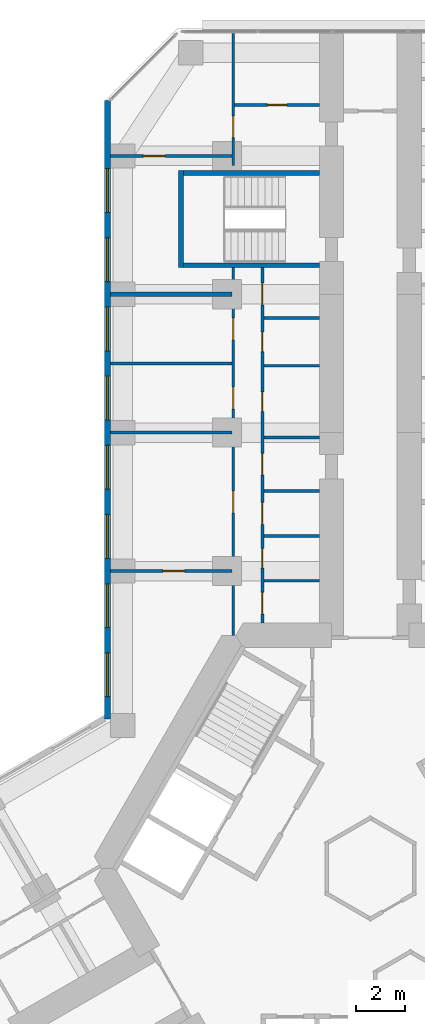
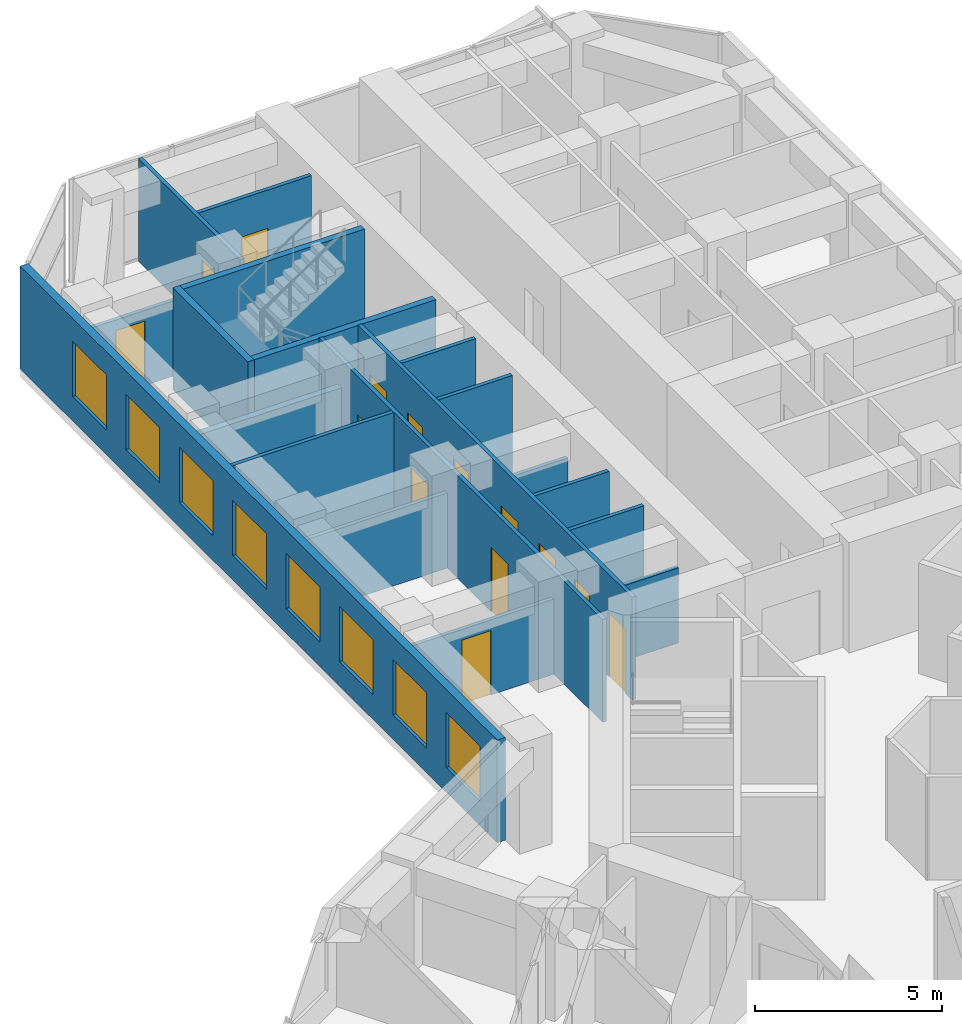
# One storey, part 17 of 21: 19 walls, 14 doors, 8 windows, 22 openings.
"""IFC4 building model written with IfcOpenShell, lengths in metres."""

from ifc_helpers import new_model, si_unit, direction, frame, frame_2d, origin, place, context, subcontext, project, spatial, rectangle, extrude, material, layer, layer_set, type_object, element, fill, save


model = new_model("IFC4")

# Units and contexts
model_context = context("Model", 3, precision=1e-05, world=origin(), true_north=direction((0.0, 1.0)))
body_context = subcontext(model_context, "Body", "Model", "MODEL_VIEW")
ifc_project = project(units=[si_unit("LENGTHUNIT", "METRE"), si_unit("AREAUNIT", "SQUARE_METRE"), si_unit("VOLUMEUNIT", "CUBIC_METRE"), si_unit("PLANEANGLEUNIT", "RADIAN"), si_unit("MASSUNIT", "GRAM", prefix="KILO")], contexts=[model_context])

# Site, building, storey
site_placement = place(None, origin())
site = spatial("IfcSite", under=ifc_project, at=site_placement, CompositionType="ELEMENT")
building_placement = place(site_placement, origin())
building = spatial("IfcBuilding", under=site, at=building_placement, Name="Kosmar Iwan School Tower", CompositionType="ELEMENT")
storey_placement = place(building_placement, frame((0.0, 0.0, 64.60009765625)))
storey = spatial("IfcBuildingStorey", under=building, at=storey_placement, Name="L15", CompositionType="ELEMENT", Elevation=64.60009765625)

# Wall, openings, doors
ifc_material_1 = material(Name="Gypsum board on steel studs", Category="steel")
ifc_layer_1 = layer(ifc_material_1, 0.1201171875)
ifc_layer_set_1 = layer_set([ifc_layer_1], Name="Dwelling partition 120")
wall_type_1 = type_object("IfcWallType", Name="Dwelling partition 120", PredefinedType="PARTITIONING", material=ifc_layer_set_1)
wall_1_placement = place(storey_placement, frame((-4.449951171875, 10.10009765625, 0.0), z_axis=(0.0, 0.0, 1.0), x_axis=(0.0, 1.0, 0.0)))
wall_1 = element("IfcWall", 1, at=wall_1_placement, inside=storey, type_object=wall_type_1, Name="Partition L15-AL1-W1", PredefinedType="PARTITIONING", context=body_context, shape_type="SweptSolid", body=[
    extrude(rectangle(XDim=14.64990234375, YDim=0.1201171875, at=frame_2d((7.324951171875, 0.0))), origin(), (0.0, 0.0, 1.0), 3.349853515625),
])
opening_1_placement = place(wall_1_placement, frame((0.375, 0.0, 0.0)))
opening_1 = element("IfcOpeningElement", 2, at=opening_1_placement, cuts=wall_1, Name="Opening D2", PredefinedType="OPENING", context=body_context, shape_type="SweptSolid", body=[
    extrude(rectangle(XDim=0.89990234375, YDim=2.10009765625, at=frame_2d((0.449951171875, 1.050048828125))), frame((0.0, 0.072021484375, 0.0), z_axis=(0.0, -1.0, 0.0), x_axis=(1.0, 0.0, 0.0)), (0.0, 0.0, 1.0), 0.14404296875),
])
opening_2_placement = place(wall_1_placement, frame((2.27490234375, 0.0, 0.0)))
opening_2 = element("IfcOpeningElement", 3, at=opening_2_placement, cuts=wall_1, Name="Opening D3", PredefinedType="OPENING", context=body_context, shape_type="SweptSolid", body=[
    extrude(rectangle(XDim=0.800048828125, YDim=2.10009765625, at=frame_2d((0.39990234375, 1.050048828125))), frame((0.0, 0.072021484375, 0.0), z_axis=(0.0, -1.0, 0.0), x_axis=(1.0, 0.0, 0.0)), (0.0, 0.0, 1.0), 0.14404296875),
])
opening_3_placement = place(wall_1_placement, frame((4.074951171875, 0.0, 0.0)))
opening_3 = element("IfcOpeningElement", 4, at=opening_3_placement, cuts=wall_1, Name="Opening D2", PredefinedType="OPENING", context=body_context, shape_type="SweptSolid", body=[
    extrude(rectangle(XDim=0.89990234375, YDim=2.10009765625, at=frame_2d((0.449951171875, 1.050048828125))), frame((0.0, 0.072021484375, 0.0), z_axis=(0.0, -1.0, 0.0), x_axis=(1.0, 0.0, 0.0)), (0.0, 0.0, 1.0), 0.14404296875),
])
opening_4_placement = place(wall_1_placement, frame((6.10009765625, 0.0, 0.0)))
opening_4 = element("IfcOpeningElement", 5, at=opening_4_placement, cuts=wall_1, Name="Opening D2", PredefinedType="OPENING", context=body_context, shape_type="SweptSolid", body=[
    extrude(rectangle(XDim=0.89990234375, YDim=2.10009765625, at=frame_2d((0.449951171875, 1.050048828125))), frame((0.0, 0.072021484375, 0.0), z_axis=(0.0, -1.0, 0.0), x_axis=(1.0, 0.0, 0.0)), (0.0, 0.0, 1.0), 0.14404296875),
])
opening_5_placement = place(wall_1_placement, frame((8.728515625, 0.0, 0.0)))
opening_5 = element("IfcOpeningElement", 6, at=opening_5_placement, cuts=wall_1, Name="Opening D3", PredefinedType="OPENING", context=body_context, shape_type="SweptSolid", body=[
    extrude(rectangle(XDim=0.800048828125, YDim=2.10009765625, at=frame_2d((0.39990234375, 1.050048828125))), frame((0.0, 0.072021484375, 0.0), z_axis=(0.0, -1.0, 0.0), x_axis=(1.0, 0.0, 0.0)), (0.0, 0.0, 1.0), 0.14404296875),
])
opening_6_placement = place(wall_1_placement, frame((11.19287109375, 0.0, 0.0)))
opening_6 = element("IfcOpeningElement", 7, at=opening_6_placement, cuts=wall_1, Name="Opening D3", PredefinedType="OPENING", context=body_context, shape_type="SweptSolid", body=[
    extrude(rectangle(XDim=0.800048828125, YDim=2.10009765625, at=frame_2d((0.39990234375, 1.050048828125))), frame((0.0, 0.072021484375, 0.0), z_axis=(0.0, -1.0, 0.0), x_axis=(1.0, 0.0, 0.0)), (0.0, 0.0, 1.0), 0.14404296875),
])
opening_7_placement = place(wall_1_placement, frame((13.1142578125, 0.0, 0.0)))
opening_7 = element("IfcOpeningElement", 8, at=opening_7_placement, cuts=wall_1, Name="Opening D2", PredefinedType="OPENING", context=body_context, shape_type="SweptSolid", body=[
    extrude(rectangle(XDim=0.89990234375, YDim=2.10009765625, at=frame_2d((0.449951171875, 1.050048828125))), frame((0.0, 0.072021484375, 0.0), z_axis=(0.0, -1.0, 0.0), x_axis=(1.0, 0.0, 0.0)), (0.0, 0.0, 1.0), 0.14404296875),
])
ifc_material_2 = material(Name="Timber door in timber frame", Category="wood")
door_type_1 = type_object("IfcDoorType", Name="Internal door 900x2100", OperationType="SINGLE_SWING_LEFT", PredefinedType="DOOR", material=ifc_material_2)
door_1_placement = place(opening_1_placement, origin())
door_1 = element("IfcDoor", 9, at=door_1_placement, inside=storey, type_object=door_type_1, Name="Dressing room door L15-AL1-S1", OperationType="SINGLE_SWING_LEFT", OverallHeight=2.10009765625, OverallWidth=0.89990234375, PredefinedType="DOOR", context=body_context, shape_type="SweptSolid", body=[
    extrude(rectangle(XDim=0.89990234375, YDim=2.10009765625, at=frame_2d((0.449951171875, 1.050048828125))), frame((0.0, 0.02490234375, 0.0), z_axis=(0.0, -1.0, 0.0), x_axis=(1.0, 0.0, 0.0)), (0.0, 0.0, 1.0), 0.050048828125),
])
fill(opening_1, door_1)
door_2_placement = place(opening_3_placement, origin())
door_2 = element("IfcDoor", 10, at=door_2_placement, inside=storey, type_object=door_type_1, Name="Pantry door L15-AL1-S3", OperationType="SINGLE_SWING_LEFT", OverallHeight=2.10009765625, OverallWidth=0.89990234375, PredefinedType="DOOR", context=body_context, shape_type="SweptSolid", body=[
    extrude(rectangle(XDim=0.89990234375, YDim=2.10009765625, at=frame_2d((0.449951171875, 1.050048828125))), frame((0.0, 0.02490234375, 0.0), z_axis=(0.0, -1.0, 0.0), x_axis=(1.0, 0.0, 0.0)), (0.0, 0.0, 1.0), 0.050048828125),
])
fill(opening_3, door_2)
door_3_placement = place(opening_4_placement, origin())
door_3 = element("IfcDoor", 11, at=door_3_placement, inside=storey, type_object=door_type_1, Name="Entrance hall door L15-AL1-S4", OperationType="SINGLE_SWING_LEFT", OverallHeight=2.10009765625, OverallWidth=0.89990234375, PredefinedType="DOOR", context=body_context, shape_type="SweptSolid", body=[
    extrude(rectangle(XDim=0.89990234375, YDim=2.10009765625, at=frame_2d((0.449951171875, 1.050048828125))), frame((0.0, 0.02490234375, 0.0), z_axis=(0.0, -1.0, 0.0), x_axis=(1.0, 0.0, 0.0)), (0.0, 0.0, 1.0), 0.050048828125),
])
fill(opening_4, door_3)
door_4_placement = place(opening_7_placement, frame((0.89990234375, 0.0, 0.0), z_axis=(0.0, 0.0, 1.0), x_axis=(-1.0, 0.0, 0.0)))
door_4 = element("IfcDoor", 12, at=door_4_placement, inside=storey, type_object=door_type_1, Name="Utility room door L15-AL1-S7", OperationType="SINGLE_SWING_LEFT", OverallHeight=2.10009765625, OverallWidth=0.89990234375, PredefinedType="DOOR", context=body_context, shape_type="SweptSolid", body=[
    extrude(rectangle(XDim=0.89990234375, YDim=2.10009765625, at=frame_2d((0.449951171875, 1.050048828125))), frame((0.0, 0.02490234375, 0.0), z_axis=(0.0, -1.0, 0.0), x_axis=(1.0, 0.0, 0.0)), (0.0, 0.0, 1.0), 0.050048828125),
])
fill(opening_7, door_4)
ifc_material_3 = material(Name="Timber door in timber frame", Category="wood")
door_type_2 = type_object("IfcDoorType", Name="Sanitary room door 800x2100", OperationType="SINGLE_SWING_LEFT", PredefinedType="DOOR", material=ifc_material_3)
door_5_placement = place(opening_2_placement, origin())
door_5 = element("IfcDoor", 13, at=door_5_placement, inside=storey, type_object=door_type_2, Name="Store door L15-AL1-S2", OperationType="SINGLE_SWING_LEFT", OverallHeight=2.10009765625, OverallWidth=0.800048828125, PredefinedType="DOOR", context=body_context, shape_type="SweptSolid", body=[
    extrude(rectangle(XDim=0.800048828125, YDim=2.10009765625, at=frame_2d((0.39990234375, 1.050048828125))), frame((0.0, 0.02490234375, 0.0), z_axis=(0.0, -1.0, 0.0), x_axis=(1.0, 0.0, 0.0)), (0.0, 0.0, 1.0), 0.050048828125),
])
fill(opening_2, door_5)
door_6_placement = place(opening_5_placement, origin())
door_6 = element("IfcDoor", 14, at=door_6_placement, inside=storey, type_object=door_type_2, Name="Bathroom door L15-AL1-S5", OperationType="SINGLE_SWING_RIGHT", OverallHeight=2.10009765625, OverallWidth=0.800048828125, PredefinedType="DOOR", context=body_context, shape_type="SweptSolid", body=[
    extrude(rectangle(XDim=0.800048828125, YDim=2.10009765625, at=frame_2d((0.39990234375, 1.050048828125))), frame((0.0, 0.02490234375, 0.0), z_axis=(0.0, -1.0, 0.0), x_axis=(1.0, 0.0, 0.0)), (0.0, 0.0, 1.0), 0.050048828125),
])
fill(opening_5, door_6)
door_7_placement = place(opening_6_placement, origin())
door_7 = element("IfcDoor", 15, at=door_7_placement, inside=storey, type_object=door_type_2, Name="WC door L15-AL1-S6", OperationType="SINGLE_SWING_RIGHT", OverallHeight=2.10009765625, OverallWidth=0.800048828125, PredefinedType="DOOR", context=body_context, shape_type="SweptSolid", body=[
    extrude(rectangle(XDim=0.800048828125, YDim=2.10009765625, at=frame_2d((0.39990234375, 1.050048828125))), frame((0.0, 0.02490234375, 0.0), z_axis=(0.0, -1.0, 0.0), x_axis=(1.0, 0.0, 0.0)), (0.0, 0.0, 1.0), 0.050048828125),
])
fill(opening_6, door_7)

wall_2_placement = place(storey_placement, frame((-5.64990234375, 9.60009765625, 0.0), z_axis=(0.0, 0.0, 1.0), x_axis=(0.0, 1.0, 0.0)))
wall_2 = element("IfcWall", 16, at=wall_2_placement, inside=storey, type_object=wall_type_1, Name="Partition L15-AL1-W2", PredefinedType="PARTITIONING", context=body_context, shape_type="SweptSolid", body=[
    extrude(rectangle(XDim=15.14990234375, YDim=0.1201171875, at=frame_2d((7.574951171875, 0.0))), origin(), (0.0, 0.0, 1.0), 3.349853515625),
])
opening_8_placement = place(wall_2_placement, frame((5.050048828125, 0.0, 0.0)))
opening_8 = element("IfcOpeningElement", 17, at=opening_8_placement, cuts=wall_2, Name="Opening D2", PredefinedType="OPENING", context=body_context, shape_type="SweptSolid", body=[
    extrude(rectangle(XDim=0.89990234375, YDim=2.10009765625, at=frame_2d((0.449951171875, 1.050048828125))), frame((0.0, 0.072021484375, 0.0), z_axis=(0.0, -1.0, 0.0), x_axis=(1.0, 0.0, 0.0)), (0.0, 0.0, 1.0), 0.14404296875),
])
opening_9_placement = place(wall_2_placement, frame((9.324951171875, 0.0, 0.0)))
opening_9 = element("IfcOpeningElement", 18, at=opening_9_placement, cuts=wall_2, Name="Opening D2", PredefinedType="OPENING", context=body_context, shape_type="SweptSolid", body=[
    extrude(rectangle(XDim=0.89990234375, YDim=2.10009765625, at=frame_2d((0.449951171875, 1.050048828125))), frame((0.0, 0.072021484375, 0.0), z_axis=(0.0, -1.0, 0.0), x_axis=(1.0, 0.0, 0.0)), (0.0, 0.0, 1.0), 0.14404296875),
])
opening_10_placement = place(wall_2_placement, frame((12.175048828125, 0.0, 0.0)))
opening_10 = element("IfcOpeningElement", 19, at=opening_10_placement, cuts=wall_2, Name="Opening D2", PredefinedType="OPENING", context=body_context, shape_type="SweptSolid", body=[
    extrude(rectangle(XDim=0.89990234375, YDim=2.10009765625, at=frame_2d((0.449951171875, 1.050048828125))), frame((0.0, 0.072021484375, 0.0), z_axis=(0.0, -1.0, 0.0), x_axis=(1.0, 0.0, 0.0)), (0.0, 0.0, 1.0), 0.14404296875),
])
door_8_placement = place(opening_8_placement, origin())
door_8 = element("IfcDoor", 20, at=door_8_placement, inside=storey, type_object=door_type_1, Name="Living room door L15-AL1-F2", OperationType="SINGLE_SWING_RIGHT", OverallHeight=2.10009765625, OverallWidth=0.89990234375, PredefinedType="DOOR", context=body_context, shape_type="SweptSolid", body=[
    extrude(rectangle(XDim=0.89990234375, YDim=2.10009765625, at=frame_2d((0.449951171875, 1.050048828125))), frame((0.0, 0.02490234375, 0.0), z_axis=(0.0, -1.0, 0.0), x_axis=(1.0, 0.0, 0.0)), (0.0, 0.0, 1.0), 0.050048828125),
])
fill(opening_8, door_8)
door_9_placement = place(opening_9_placement, origin())
door_9 = element("IfcDoor", 21, at=door_9_placement, inside=storey, type_object=door_type_1, Name="Study door L15-AL1-F3", OperationType="SINGLE_SWING_LEFT", OverallHeight=2.10009765625, OverallWidth=0.89990234375, PredefinedType="DOOR", context=body_context, shape_type="SweptSolid", body=[
    extrude(rectangle(XDim=0.89990234375, YDim=2.10009765625, at=frame_2d((0.449951171875, 1.050048828125))), frame((0.0, 0.02490234375, 0.0), z_axis=(0.0, -1.0, 0.0), x_axis=(1.0, 0.0, 0.0)), (0.0, 0.0, 1.0), 0.050048828125),
])
fill(opening_9, door_9)
door_10_placement = place(opening_10_placement, origin())
door_10 = element("IfcDoor", 22, at=door_10_placement, inside=storey, type_object=door_type_1, Name="Bedroom 1 door L15-AL1-F4", OperationType="SINGLE_SWING_RIGHT", OverallHeight=2.10009765625, OverallWidth=0.89990234375, PredefinedType="DOOR", context=body_context, shape_type="SweptSolid", body=[
    extrude(rectangle(XDim=0.89990234375, YDim=2.10009765625, at=frame_2d((0.449951171875, 1.050048828125))), frame((0.0, 0.02490234375, 0.0), z_axis=(0.0, -1.0, 0.0), x_axis=(1.0, 0.0, 0.0)), (0.0, 0.0, 1.0), 0.050048828125),
])
fill(opening_10, door_10)

# Wall, opening, door
wall_3_placement = place(storey_placement, frame((-5.7099609375, 12.25, 0.0), z_axis=(0.0, 0.0, 1.0), x_axis=(-1.0, 0.0, 0.0)))
wall_3 = element("IfcWall", 23, at=wall_3_placement, inside=storey, type_object=wall_type_1, Name="Partition L15-AL1-X1", PredefinedType="PARTITIONING", context=body_context, shape_type="SweptSolid", body=[
    extrude(rectangle(XDim=4.989990234375, YDim=0.1201171875, at=frame_2d((2.4951171875, 0.0))), origin(), (0.0, 0.0, 1.0), 2.449951171875),
])
opening_11_placement = place(wall_3_placement, frame((1.93994140625, 0.0, 0.0)))
opening_11 = element("IfcOpeningElement", 24, at=opening_11_placement, cuts=wall_3, Name="Opening D2", PredefinedType="OPENING", context=body_context, shape_type="SweptSolid", body=[
    extrude(rectangle(XDim=0.89990234375, YDim=2.10009765625, at=frame_2d((0.449951171875, 1.050048828125))), frame((0.0, 0.072021484375, 0.0), z_axis=(0.0, -1.0, 0.0), x_axis=(1.0, 0.0, 0.0)), (0.0, 0.0, 1.0), 0.14404296875),
])
door_11_placement = place(opening_11_placement, origin())
door_11 = element("IfcDoor", 25, at=door_11_placement, inside=storey, type_object=door_type_1, Name="Kitchen and dining room door L15-AL1-F1", OperationType="SINGLE_SWING_LEFT", OverallHeight=2.10009765625, OverallWidth=0.89990234375, PredefinedType="DOOR", context=body_context, shape_type="SweptSolid", body=[
    extrude(rectangle(XDim=0.89990234375, YDim=2.10009765625, at=frame_2d((0.449951171875, 1.050048828125))), frame((0.0, 0.02490234375, 0.0), z_axis=(0.0, -1.0, 0.0), x_axis=(1.0, 0.0, 0.0)), (0.0, 0.0, 1.0), 0.050048828125),
])
fill(opening_11, door_11)

# Walls
wall_4_placement = place(storey_placement, frame((-5.7099609375, 17.949951171875, 0.0), z_axis=(0.0, 0.0, 1.0), x_axis=(-1.0, 0.0, 0.0)))
element("IfcWall", 26, at=wall_4_placement, inside=storey, type_object=wall_type_1, Name="Partition L15-AL1-X2", PredefinedType="PARTITIONING", context=body_context, shape_type="SweptSolid", body=[
    extrude(rectangle(XDim=4.989990234375, YDim=0.1201171875, at=frame_2d((2.4951171875, 0.0))), origin(), (0.0, 0.0, 1.0), 2.449951171875),
])
wall_5_placement = place(storey_placement, frame((-5.7099609375, 20.800048828125, 0.0), z_axis=(0.0, 0.0, 1.0), x_axis=(-1.0, 0.0, 0.0)))
element("IfcWall", 27, at=wall_5_placement, inside=storey, type_object=wall_type_1, Name="Partition L15-AL1-X3", PredefinedType="PARTITIONING", context=body_context, shape_type="SweptSolid", body=[
    extrude(rectangle(XDim=4.989990234375, YDim=0.1201171875, at=frame_2d((2.4951171875, 0.0))), origin(), (0.0, 0.0, 1.0), 3.349853515625),
])
wall_6_placement = place(storey_placement, frame((-2.10009765625, 11.85009765625, 0.0), z_axis=(0.0, 0.0, 1.0), x_axis=(-1.0, 0.0, 0.0)))
element("IfcWall", 28, at=wall_6_placement, inside=storey, type_object=wall_type_1, Name="Partition L15-AL1-Y1", PredefinedType="PARTITIONING", context=body_context, shape_type="SweptSolid", body=[
    extrude(rectangle(XDim=2.289794921875, YDim=0.1201171875, at=frame_2d((1.14501953125, 0.0))), origin(), (0.0, 0.0, 1.0), 2.449951171875),
])
for number, where, z_axis, x_axis, name in (
    (29, (-2.10009765625, 13.699951171875, 0.0), (0.0, 0.0, 1.0), (-1.0, 0.0, 0.0), "Partition L15-AL1-Y2"),
    (30, (-2.10009765625, 15.550048828125, 0.0), (0.0, 0.0, 1.0), (-1.0, 0.0, 0.0), "Partition L15-AL1-Y3"),
):
    element("IfcWall", number, at=place(storey_placement, frame(where, z_axis=z_axis, x_axis=x_axis)), inside=storey, type_object=wall_type_1, Name=name, PredefinedType="PARTITIONING", context=body_context, shape_type="SweptSolid", body=[
        extrude(rectangle(XDim=2.289794921875, YDim=0.1201171875, at=frame_2d((1.14501953125, 0.0))), origin(), (0.0, 0.0, 1.0), 3.349853515625),
    ])
wall_7_placement = place(storey_placement, frame((-2.10009765625, 17.75, 0.0), z_axis=(0.0, 0.0, 1.0), x_axis=(-1.0, 0.0, 0.0)))
element("IfcWall", 31, at=wall_7_placement, inside=storey, type_object=wall_type_1, Name="Partition L15-AL1-Y4", PredefinedType="PARTITIONING", context=body_context, shape_type="SweptSolid", body=[
    extrude(rectangle(XDim=2.289794921875, YDim=0.1201171875, at=frame_2d((1.14501953125, 0.0))), origin(), (0.0, 0.0, 1.0), 2.449951171875),
])
for number, where, z_axis, x_axis, name in (
    (32, (-2.10009765625, 20.70703125, 0.0), (0.0, 0.0, 1.0), (-1.0, 0.0, 0.0), "Partition L15-AL1-Y5"),
    (33, (-2.10009765625, 22.678466796875, 0.0), (0.0, 0.0, 1.0), (-1.0, 0.0, 0.0), "Partition L15-AL1-Y6"),
):
    element("IfcWall", number, at=place(storey_placement, frame(where, z_axis=z_axis, x_axis=x_axis)), inside=storey, type_object=wall_type_1, Name=name, PredefinedType="PARTITIONING", context=body_context, shape_type="SweptSolid", body=[
        extrude(rectangle(XDim=2.289794921875, YDim=0.1201171875, at=frame_2d((1.14501953125, 0.0))), origin(), (0.0, 0.0, 1.0), 3.349853515625),
    ])

# Wall, opening, door
wall_8_placement = place(storey_placement, frame((-5.7099609375, 29.35009765625, 0.0), z_axis=(0.0, 0.0, 1.0), x_axis=(-1.0, 0.0, 0.0)))
wall_8 = element("IfcWall", 34, at=wall_8_placement, inside=storey, type_object=wall_type_1, Name="Partition L15-AL2-TX", PredefinedType="PARTITIONING", context=body_context, shape_type="SweptSolid", body=[
    extrude(rectangle(XDim=4.989990234375, YDim=0.1201171875, at=frame_2d((2.4951171875, 0.0))), origin(), (0.0, 0.0, 1.0), 2.449951171875),
])
opening_12_placement = place(wall_8_placement, frame((2.739990234375, 0.0, 0.0)))
opening_12 = element("IfcOpeningElement", 35, at=opening_12_placement, cuts=wall_8, Name="Opening D2", PredefinedType="OPENING", context=body_context, shape_type="SweptSolid", body=[
    extrude(rectangle(XDim=0.89990234375, YDim=2.10009765625, at=frame_2d((0.449951171875, 1.050048828125))), frame((0.0, 0.072021484375, 0.0), z_axis=(0.0, -1.0, 0.0), x_axis=(1.0, 0.0, 0.0)), (0.0, 0.0, 1.0), 0.14404296875),
])
door_12_placement = place(opening_12_placement, origin())
door_12 = element("IfcDoor", 36, at=door_12_placement, inside=storey, type_object=door_type_1, Name="Bedroom 1 door L15-AL2-T1", OperationType="SINGLE_SWING_RIGHT", OverallHeight=2.10009765625, OverallWidth=0.89990234375, PredefinedType="DOOR", context=body_context, shape_type="SweptSolid", body=[
    extrude(rectangle(XDim=0.89990234375, YDim=2.10009765625, at=frame_2d((0.449951171875, 1.050048828125))), frame((0.0, 0.02490234375, 0.0), z_axis=(0.0, -1.0, 0.0), x_axis=(1.0, 0.0, 0.0)), (0.0, 0.0, 1.0), 0.050048828125),
])
fill(opening_12, door_12)

wall_9_placement = place(storey_placement, frame((-5.64990234375, 28.949951171875, 0.0), z_axis=(0.0, 0.0, 1.0), x_axis=(0.0, 1.0, 0.0)))
wall_9 = element("IfcWall", 37, at=wall_9_placement, inside=storey, type_object=wall_type_1, Name="Partition L15-AL2-TW", PredefinedType="PARTITIONING", context=body_context, shape_type="SweptSolid", body=[
    extrude(rectangle(XDim=5.445068359375, YDim=0.1201171875, at=frame_2d((2.72265625, 0.0))), origin(), (0.0, 0.0, 1.0), 3.349853515625),
])
opening_13_placement = place(wall_9_placement, frame((1.14990234375, 0.0, 0.0)))
opening_13 = element("IfcOpeningElement", 38, at=opening_13_placement, cuts=wall_9, Name="Opening D2", PredefinedType="OPENING", context=body_context, shape_type="SweptSolid", body=[
    extrude(rectangle(XDim=0.89990234375, YDim=2.10009765625, at=frame_2d((0.449951171875, 1.050048828125))), frame((0.0, 0.072021484375, 0.0), z_axis=(0.0, -1.0, 0.0), x_axis=(1.0, 0.0, 0.0)), (0.0, 0.0, 1.0), 0.14404296875),
])
door_13_placement = place(opening_13_placement, origin())
door_13 = element("IfcDoor", 39, at=door_13_placement, inside=storey, type_object=door_type_1, Name="Entrance hall door L15-AL2-T3", OperationType="SINGLE_SWING_LEFT", OverallHeight=2.10009765625, OverallWidth=0.89990234375, PredefinedType="DOOR", context=body_context, shape_type="SweptSolid", body=[
    extrude(rectangle(XDim=0.89990234375, YDim=2.10009765625, at=frame_2d((0.449951171875, 1.050048828125))), frame((0.0, 0.02490234375, 0.0), z_axis=(0.0, -1.0, 0.0), x_axis=(1.0, 0.0, 0.0)), (0.0, 0.0, 1.0), 0.050048828125),
])
fill(opening_13, door_13)

wall_10_placement = place(storey_placement, frame((-2.10009765625, 31.449951171875, 0.0), z_axis=(0.0, 0.0, 1.0), x_axis=(-1.0, 0.0, 0.0)))
wall_10 = element("IfcWall", 40, at=wall_10_placement, inside=storey, type_object=wall_type_1, Name="Partition L15-AL2-TY", PredefinedType="PARTITIONING", context=body_context, shape_type="SweptSolid", body=[
    extrude(rectangle(XDim=3.489990234375, YDim=0.1201171875, at=frame_2d((1.7451171875, 0.0))), origin(), (0.0, 0.0, 1.0), 3.349853515625),
])
opening_14_placement = place(wall_10_placement, frame((1.344970703125, 0.0, 0.0)))
opening_14 = element("IfcOpeningElement", 41, at=opening_14_placement, cuts=wall_10, Name="Opening D3", PredefinedType="OPENING", context=body_context, shape_type="SweptSolid", body=[
    extrude(rectangle(XDim=0.800048828125, YDim=2.10009765625, at=frame_2d((0.39990234375, 1.050048828125))), frame((0.0, 0.072021484375, 0.0), z_axis=(0.0, -1.0, 0.0), x_axis=(1.0, 0.0, 0.0)), (0.0, 0.0, 1.0), 0.14404296875),
])
door_14_placement = place(opening_14_placement, origin())
door_14 = element("IfcDoor", 42, at=door_14_placement, inside=storey, type_object=door_type_2, Name="Bathroom door L15-AL2-T4", OperationType="SINGLE_SWING_RIGHT", OverallHeight=2.10009765625, OverallWidth=0.800048828125, PredefinedType="DOOR", context=body_context, shape_type="SweptSolid", body=[
    extrude(rectangle(XDim=0.800048828125, YDim=2.10009765625, at=frame_2d((0.39990234375, 1.050048828125))), frame((0.0, 0.02490234375, 0.0), z_axis=(0.0, -1.0, 0.0), x_axis=(1.0, 0.0, 0.0)), (0.0, 0.0, 1.0), 0.050048828125),
])
fill(opening_14, door_14)

# Walls
ifc_material_4 = material(Name="Concrete C35/45", Category="concrete")
ifc_layer_2 = layer(ifc_material_4, 0.199951171875)
ifc_layer_set_2 = layer_set([ifc_layer_2], Name="Escape stair wall 200")
wall_type_2 = type_object("IfcWallType", Name="Escape stair wall 200", PredefinedType="SHEAR", material=ifc_layer_set_2)
for number, where, z_axis, x_axis, name in (
    (43, (-2.10009765625, 24.85009765625, 0.0), (0.0, 0.0, 1.0), (-1.0, 0.0, 0.0), "Stair WS1 wall"),
    (44, (-2.10009765625, 28.64990234375, 0.0), (0.0, 0.0, 1.0), (-1.0, 0.0, 0.0), "Stair WS1 wall"),
):
    element("IfcWall", number, at=place(storey_placement, frame(where, z_axis=z_axis, x_axis=x_axis)), inside=storey, type_object=wall_type_2, Name=name, PredefinedType="SHEAR", context=body_context, shape_type="SweptSolid", body=[
        extrude(rectangle(XDim=5.7998046875, YDim=0.199951171875, at=frame_2d((2.89990234375, 0.0))), origin(), (0.0, 0.0, 1.0), 3.329833984375),
    ])
wall_11_placement = place(storey_placement, frame((-7.800048828125, 24.75, 0.0), z_axis=(0.0, 0.0, 1.0), x_axis=(0.0, 1.0, 0.0)))
element("IfcWall", 45, at=wall_11_placement, inside=storey, type_object=wall_type_2, Name="Stair WS1 wall", PredefinedType="SHEAR", context=body_context, shape_type="SweptSolid", body=[
    extrude(rectangle(XDim=4.0, YDim=0.199951171875, at=frame_2d((2.0, 0.0))), origin(), (0.0, 0.0, 1.0), 3.329833984375),
])

# Wall, openings, windows
ifc_material_5 = material(Name="Black aluminium rainscreen on insulated framing", Category="aluminium")
ifc_layer_3 = layer(ifc_material_5, 0.25)
ifc_layer_set_3 = layer_set([ifc_layer_3], Name="External wall rainscreen 250")
wall_type_3 = type_object("IfcWallType", Name="External wall rainscreen 250", PredefinedType="SOLIDWALL", material=ifc_layer_set_3)
wall_12_placement = place(storey_placement, frame((-10.824951171875, 6.14794921875, 0.0), z_axis=(0.0, 0.0, 1.0), x_axis=(0.0, 1.0, 0.0)))
wall_12 = element("IfcWall", 46, at=wall_12_placement, inside=storey, type_object=wall_type_3, Name="External wall AL L15", PredefinedType="SOLIDWALL", context=body_context, shape_type="SweptSolid", body=[
    extrude(rectangle(XDim=25.4873046875, YDim=0.25, at=frame_2d((12.74365234375, 0.0))), origin(), (0.0, 0.0, 1.0), 3.349853515625),
])
opening_15_placement = place(wall_12_placement, frame((0.927001953125, 0.0, 0.800048828125)))
opening_15 = element("IfcOpeningElement", 47, at=opening_15_placement, cuts=wall_12, Name="Opening W1", PredefinedType="OPENING", context=body_context, shape_type="SweptSolid", body=[
    extrude(rectangle(XDim=1.800048828125, YDim=1.800048828125, at=frame_2d((0.89990234375, 0.89990234375))), frame((0.0, 0.136962890625, 0.0), z_axis=(0.0, -1.0, 0.0), x_axis=(1.0, 0.0, 0.0)), (0.0, 0.0, 1.0), 0.27392578125),
])
opening_16_placement = place(wall_12_placement, frame((3.777099609375, 0.0, 0.800048828125)))
opening_16 = element("IfcOpeningElement", 48, at=opening_16_placement, cuts=wall_12, Name="Opening W1", PredefinedType="OPENING", context=body_context, shape_type="SweptSolid", body=[
    extrude(rectangle(XDim=1.800048828125, YDim=1.800048828125, at=frame_2d((0.89990234375, 0.89990234375))), frame((0.0, 0.136962890625, 0.0), z_axis=(0.0, -1.0, 0.0), x_axis=(1.0, 0.0, 0.0)), (0.0, 0.0, 1.0), 0.27392578125),
])
opening_17_placement = place(wall_12_placement, frame((6.626953125, 0.0, 0.800048828125)))
opening_17 = element("IfcOpeningElement", 49, at=opening_17_placement, cuts=wall_12, Name="Opening W1", PredefinedType="OPENING", context=body_context, shape_type="SweptSolid", body=[
    extrude(rectangle(XDim=1.800048828125, YDim=1.800048828125, at=frame_2d((0.89990234375, 0.89990234375))), frame((0.0, 0.136962890625, 0.0), z_axis=(0.0, -1.0, 0.0), x_axis=(1.0, 0.0, 0.0)), (0.0, 0.0, 1.0), 0.27392578125),
])
opening_18_placement = place(wall_12_placement, frame((9.47705078125, 0.0, 0.800048828125)))
opening_18 = element("IfcOpeningElement", 50, at=opening_18_placement, cuts=wall_12, Name="Opening W1", PredefinedType="OPENING", context=body_context, shape_type="SweptSolid", body=[
    extrude(rectangle(XDim=1.800048828125, YDim=1.800048828125, at=frame_2d((0.89990234375, 0.89990234375))), frame((0.0, 0.136962890625, 0.0), z_axis=(0.0, -1.0, 0.0), x_axis=(1.0, 0.0, 0.0)), (0.0, 0.0, 1.0), 0.27392578125),
])
opening_19_placement = place(wall_12_placement, frame((12.326904296875, 0.0, 0.800048828125)))
opening_19 = element("IfcOpeningElement", 51, at=opening_19_placement, cuts=wall_12, Name="Opening W1", PredefinedType="OPENING", context=body_context, shape_type="SweptSolid", body=[
    extrude(rectangle(XDim=1.800048828125, YDim=1.800048828125, at=frame_2d((0.89990234375, 0.89990234375))), frame((0.0, 0.136962890625, 0.0), z_axis=(0.0, -1.0, 0.0), x_axis=(1.0, 0.0, 0.0)), (0.0, 0.0, 1.0), 0.27392578125),
])
opening_20_placement = place(wall_12_placement, frame((15.177001953125, 0.0, 0.800048828125)))
opening_20 = element("IfcOpeningElement", 52, at=opening_20_placement, cuts=wall_12, Name="Opening W1", PredefinedType="OPENING", context=body_context, shape_type="SweptSolid", body=[
    extrude(rectangle(XDim=1.800048828125, YDim=1.800048828125, at=frame_2d((0.89990234375, 0.89990234375))), frame((0.0, 0.136962890625, 0.0), z_axis=(0.0, -1.0, 0.0), x_axis=(1.0, 0.0, 0.0)), (0.0, 0.0, 1.0), 0.27392578125),
])
opening_21_placement = place(wall_12_placement, frame((18.027099609375, 0.0, 0.800048828125)))
opening_21 = element("IfcOpeningElement", 53, at=opening_21_placement, cuts=wall_12, Name="Opening W1", PredefinedType="OPENING", context=body_context, shape_type="SweptSolid", body=[
    extrude(rectangle(XDim=1.800048828125, YDim=1.800048828125, at=frame_2d((0.89990234375, 0.89990234375))), frame((0.0, 0.136962890625, 0.0), z_axis=(0.0, -1.0, 0.0), x_axis=(1.0, 0.0, 0.0)), (0.0, 0.0, 1.0), 0.27392578125),
])
opening_22_placement = place(wall_12_placement, frame((20.876953125, 0.0, 0.800048828125)))
opening_22 = element("IfcOpeningElement", 54, at=opening_22_placement, cuts=wall_12, Name="Opening W1", PredefinedType="OPENING", context=body_context, shape_type="SweptSolid", body=[
    extrude(rectangle(XDim=1.800048828125, YDim=1.800048828125, at=frame_2d((0.89990234375, 0.89990234375))), frame((0.0, 0.136962890625, 0.0), z_axis=(0.0, -1.0, 0.0), x_axis=(1.0, 0.0, 0.0)), (0.0, 0.0, 1.0), 0.27392578125),
])
ifc_material_6 = material(Name="Black aluminium frame with dark triple glazing", Category="aluminium")
window_type = type_object("IfcWindowType", Name="Window 1800x1800", PartitioningType="SINGLE_PANEL", PredefinedType="WINDOW", material=ifc_material_6)
window_1_placement = place(opening_15_placement, origin())
window_1 = element("IfcWindow", 55, at=window_1_placement, inside=storey, type_object=window_type, Name="Window AL L15 -1", OverallHeight=1.800048828125, OverallWidth=1.800048828125, PartitioningType="SINGLE_PANEL", PredefinedType="WINDOW", context=body_context, shape_type="SweptSolid", body=[
    extrude(rectangle(XDim=1.800048828125, YDim=1.800048828125, at=frame_2d((0.89990234375, 0.89990234375))), frame((0.0, 0.030029296875, 0.0), z_axis=(0.0, -1.0, 0.0), x_axis=(1.0, 0.0, 0.0)), (0.0, 0.0, 1.0), 0.06005859375),
])
fill(opening_15, window_1)
window_2_placement = place(opening_16_placement, origin())
window_2 = element("IfcWindow", 56, at=window_2_placement, inside=storey, type_object=window_type, Name="Window AL L15 0", OverallHeight=1.800048828125, OverallWidth=1.800048828125, PartitioningType="SINGLE_PANEL", PredefinedType="WINDOW", context=body_context, shape_type="SweptSolid", body=[
    extrude(rectangle(XDim=1.800048828125, YDim=1.800048828125, at=frame_2d((0.89990234375, 0.89990234375))), frame((0.0, 0.030029296875, 0.0), z_axis=(0.0, -1.0, 0.0), x_axis=(1.0, 0.0, 0.0)), (0.0, 0.0, 1.0), 0.06005859375),
])
fill(opening_16, window_2)
window_3_placement = place(opening_17_placement, origin())
window_3 = element("IfcWindow", 57, at=window_3_placement, inside=storey, type_object=window_type, Name="Window AL L15 1", OverallHeight=1.800048828125, OverallWidth=1.800048828125, PartitioningType="SINGLE_PANEL", PredefinedType="WINDOW", context=body_context, shape_type="SweptSolid", body=[
    extrude(rectangle(XDim=1.800048828125, YDim=1.800048828125, at=frame_2d((0.89990234375, 0.89990234375))), frame((0.0, 0.030029296875, 0.0), z_axis=(0.0, -1.0, 0.0), x_axis=(1.0, 0.0, 0.0)), (0.0, 0.0, 1.0), 0.06005859375),
])
fill(opening_17, window_3)
window_4_placement = place(opening_18_placement, origin())
window_4 = element("IfcWindow", 58, at=window_4_placement, inside=storey, type_object=window_type, Name="Window AL L15 2", OverallHeight=1.800048828125, OverallWidth=1.800048828125, PartitioningType="SINGLE_PANEL", PredefinedType="WINDOW", context=body_context, shape_type="SweptSolid", body=[
    extrude(rectangle(XDim=1.800048828125, YDim=1.800048828125, at=frame_2d((0.89990234375, 0.89990234375))), frame((0.0, 0.030029296875, 0.0), z_axis=(0.0, -1.0, 0.0), x_axis=(1.0, 0.0, 0.0)), (0.0, 0.0, 1.0), 0.06005859375),
])
fill(opening_18, window_4)
window_5_placement = place(opening_19_placement, origin())
window_5 = element("IfcWindow", 59, at=window_5_placement, inside=storey, type_object=window_type, Name="Window AL L15 3", OverallHeight=1.800048828125, OverallWidth=1.800048828125, PartitioningType="SINGLE_PANEL", PredefinedType="WINDOW", context=body_context, shape_type="SweptSolid", body=[
    extrude(rectangle(XDim=1.800048828125, YDim=1.800048828125, at=frame_2d((0.89990234375, 0.89990234375))), frame((0.0, 0.030029296875, 0.0), z_axis=(0.0, -1.0, 0.0), x_axis=(1.0, 0.0, 0.0)), (0.0, 0.0, 1.0), 0.06005859375),
])
fill(opening_19, window_5)
window_6_placement = place(opening_20_placement, origin())
window_6 = element("IfcWindow", 60, at=window_6_placement, inside=storey, type_object=window_type, Name="Window AL L15 4", OverallHeight=1.800048828125, OverallWidth=1.800048828125, PartitioningType="SINGLE_PANEL", PredefinedType="WINDOW", context=body_context, shape_type="SweptSolid", body=[
    extrude(rectangle(XDim=1.800048828125, YDim=1.800048828125, at=frame_2d((0.89990234375, 0.89990234375))), frame((0.0, 0.030029296875, 0.0), z_axis=(0.0, -1.0, 0.0), x_axis=(1.0, 0.0, 0.0)), (0.0, 0.0, 1.0), 0.06005859375),
])
fill(opening_20, window_6)
window_7_placement = place(opening_21_placement, origin())
window_7 = element("IfcWindow", 61, at=window_7_placement, inside=storey, type_object=window_type, Name="Window AL L15 5", OverallHeight=1.800048828125, OverallWidth=1.800048828125, PartitioningType="SINGLE_PANEL", PredefinedType="WINDOW", context=body_context, shape_type="SweptSolid", body=[
    extrude(rectangle(XDim=1.800048828125, YDim=1.800048828125, at=frame_2d((0.89990234375, 0.89990234375))), frame((0.0, 0.030029296875, 0.0), z_axis=(0.0, -1.0, 0.0), x_axis=(1.0, 0.0, 0.0)), (0.0, 0.0, 1.0), 0.06005859375),
])
fill(opening_21, window_7)
window_8_placement = place(opening_22_placement, origin())
window_8 = element("IfcWindow", 62, at=window_8_placement, inside=storey, type_object=window_type, Name="Window AL L15 6", OverallHeight=1.800048828125, OverallWidth=1.800048828125, PartitioningType="SINGLE_PANEL", PredefinedType="WINDOW", context=body_context, shape_type="SweptSolid", body=[
    extrude(rectangle(XDim=1.800048828125, YDim=1.800048828125, at=frame_2d((0.89990234375, 0.89990234375))), frame((0.0, 0.030029296875, 0.0), z_axis=(0.0, -1.0, 0.0), x_axis=(1.0, 0.0, 0.0)), (0.0, 0.0, 1.0), 0.06005859375),
])
fill(opening_22, window_8)

# Wall
ifc_material_7 = material(Name="Concrete block masonry", Category="masonry")
ifc_layer_4 = layer(ifc_material_7, 0.199951171875)
ifc_layer_set_4 = layer_set([ifc_layer_4], Name="Party wall 200")
wall_type_4 = type_object("IfcWallType", Name="Party wall 200", PredefinedType="PARTITIONING", material=ifc_layer_set_4)
wall_13_placement = place(storey_placement, frame((-5.7099609375, 23.64990234375, 0.0), z_axis=(0.0, 0.0, 1.0), x_axis=(-1.0, 0.0, 0.0)))
element("IfcWall", 63, at=wall_13_placement, inside=storey, type_object=wall_type_4, Name="Partition L15-AL2-TB", PredefinedType="PARTITIONING", context=body_context, shape_type="SweptSolid", body=[
    extrude(rectangle(XDim=4.989990234375, YDim=0.199951171875, at=frame_2d((2.4951171875, 0.0))), origin(), (0.0, 0.0, 1.0), 2.449951171875),
])

save(model, "model.ifc")
